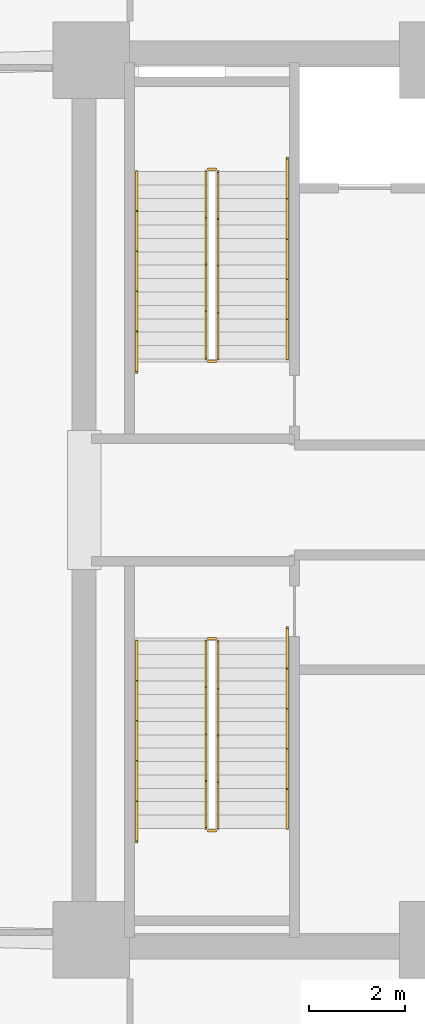
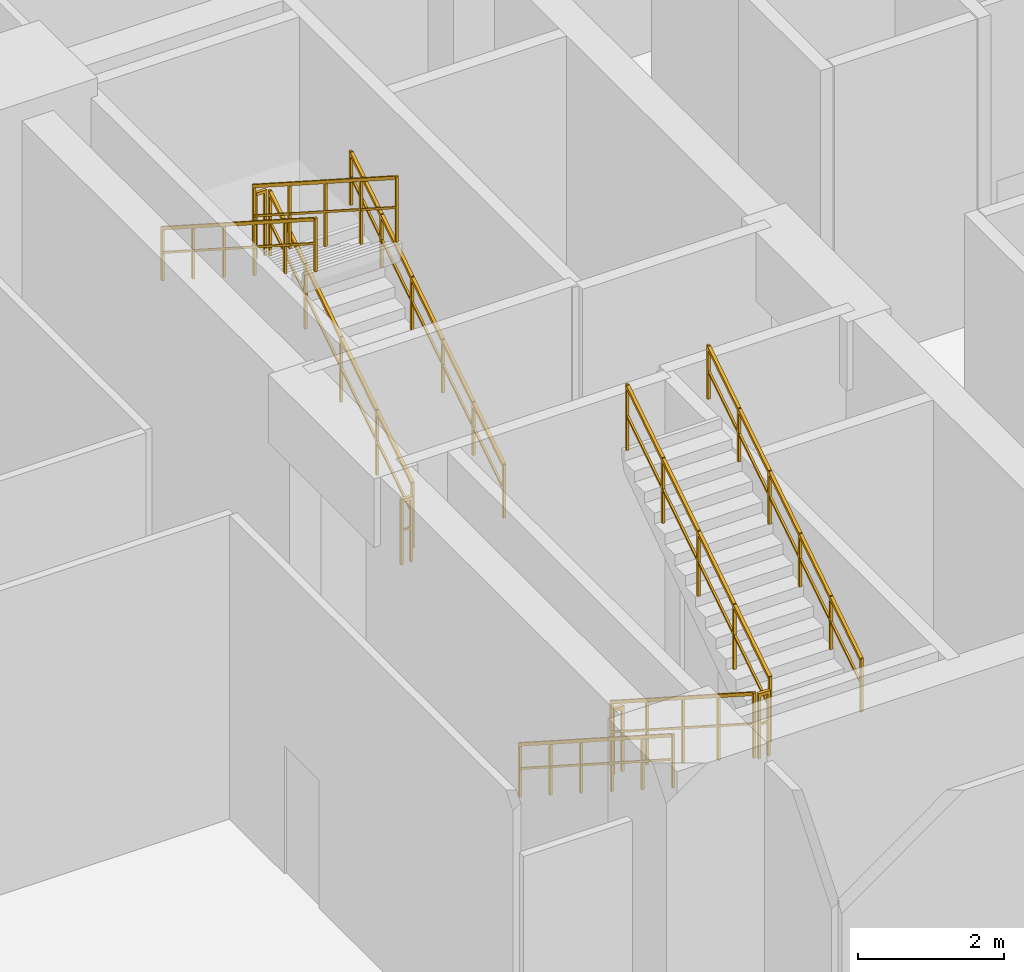
# One storey, part 12 of 15: 12 railings.
"""IFC4 building model written with IfcOpenShell, lengths in metres."""

from ifc_helpers import new_model, si_unit, direction, frame, origin, origin_2d, place, context, subcontext, project, spatial, rectangle, extrude, material, type_object, element, save


model = new_model("IFC4")

# Units and contexts
model_context = context("Model", 3, precision=1e-05, world=origin(), true_north=direction((0.0, 1.0)))
body_context = subcontext(model_context, "Body", "Model", "MODEL_VIEW")
ifc_project = project(units=[si_unit("LENGTHUNIT", "METRE"), si_unit("AREAUNIT", "SQUARE_METRE"), si_unit("VOLUMEUNIT", "CUBIC_METRE"), si_unit("PLANEANGLEUNIT", "RADIAN"), si_unit("MASSUNIT", "GRAM", prefix="KILO")], contexts=[model_context])

# Site, building, storey
site_placement = place(None, origin())
site = spatial("IfcSite", under=ifc_project, at=site_placement, CompositionType="ELEMENT")
building_placement = place(site_placement, origin())
building = spatial("IfcBuilding", under=site, at=building_placement, Name="Zahravan Cultural Tower", CompositionType="ELEMENT")
storey_placement = place(building_placement, frame((0.0, 0.0, 7.199951171875)))
storey = spatial("IfcBuildingStorey", under=building, at=storey_placement, Name="L01", CompositionType="ELEMENT", Elevation=7.199951171875)

# Railings
ifc_material = material(Name="Steel ASTM A572 Grade 50", Category="steel")
railing_type_1 = type_object("IfcRailingType", Name="RL-STAIR-GRD1150", PredefinedType="BALUSTRADE", material=ifc_material)
railing_1_placement = place(storey_placement, frame((24.300048828125, 29.949951171875, 0.179931640625)))
element("IfcRailing", 1, at=railing_1_placement, inside=storey, type_object=railing_type_1, Name="L01 ST-W1 stair guard 1", PredefinedType="BALUSTRADE", context=body_context, shape_type="SweptSolid", body=[
    extrude(rectangle(XDim=0.05, YDim=0.05, at=origin_2d()), frame((0.0, 0.0, 1.0751953125), z_axis=(0.0, 0.841186985886, 0.540744352514), x_axis=(-1.0, 0.0, 0.0)), (0.0, 0.0, 1.0), 4.660400390625),
    extrude(rectangle(XDim=0.032, YDim=0.032, at=origin_2d()), frame((0.0, 0.0, 0.572021484375), z_axis=(0.0, 0.841186985886, 0.540744352514), x_axis=(-1.0, 0.0, 0.0)), (0.0, 0.0, 1.0), 4.660400390625),
    extrude(rectangle(XDim=0.04, YDim=0.04, at=origin_2d()), origin(), (0.0, 0.0, 1.0), 1.10009765625),
    extrude(rectangle(XDim=0.04, YDim=0.04, at=origin_2d()), frame((0.0, 0.97998046875, 0.6298828125)), (0.0, 0.0, 1.0), 1.10009765625),
    extrude(rectangle(XDim=0.04, YDim=0.04, at=origin_2d()), frame((0.0, 1.9599609375, 1.260009765625)), (0.0, 0.0, 1.0), 1.10009765625),
    extrude(rectangle(XDim=0.04, YDim=0.04, at=origin_2d()), frame((0.0, 2.940185546875, 1.89013671875)), (0.0, 0.0, 1.0), 1.10009765625),
    extrude(rectangle(XDim=0.04, YDim=0.04, at=origin_2d()), frame((0.0, 3.920166015625, 2.52001953125)), (0.0, 0.0, 1.0), 1.10009765625),
])
railing_2_placement = place(storey_placement, frame((24.25, 33.919921875, 2.699951171875)))
element("IfcRailing", 2, at=railing_2_placement, inside=storey, type_object=railing_type_1, Name="L01 ST-W1 stair guard 2", PredefinedType="BALUSTRADE", context=body_context, shape_type="SweptSolid", body=[
    extrude(rectangle(XDim=0.05, YDim=0.05, at=origin_2d()), frame((0.0, 0.0, 1.0751953125), z_axis=(-1.0, 0.0, 0.0), x_axis=(0.0, -1.0, 0.0)), (0.0, 0.0, 1.0), 0.14990234375),
    extrude(rectangle(XDim=0.032, YDim=0.032, at=origin_2d()), frame((0.0, 0.0, 0.572021484375), z_axis=(-1.0, 0.0, 0.0), x_axis=(0.0, -1.0, 0.0)), (0.0, 0.0, 1.0), 0.14990234375),
    extrude(rectangle(XDim=0.04, YDim=0.04, at=origin_2d()), origin(), (0.0, 0.0, 1.0), 1.10009765625),
    extrude(rectangle(XDim=0.04, YDim=0.04, at=origin_2d()), frame((-0.14990234375, 0.0, 0.0)), (0.0, 0.0, 1.0), 1.10009765625),
])
railing_3_placement = place(storey_placement, frame((24.050048828125, 33.8701171875, 2.880126953125)))
element("IfcRailing", 3, at=railing_3_placement, inside=storey, type_object=railing_type_1, Name="L01 ST-W1 stair guard 3", PredefinedType="BALUSTRADE", context=body_context, shape_type="SweptSolid", body=[
    extrude(rectangle(XDim=0.05, YDim=0.05, at=origin_2d()), frame((0.0, 0.0, 1.0751953125), z_axis=(0.0, -0.841186985886, 0.540744352514), x_axis=(1.0, 0.0, 0.0)), (0.0, 0.0, 1.0), 4.660400390625),
    extrude(rectangle(XDim=0.032, YDim=0.032, at=origin_2d()), frame((0.0, 0.0, 0.572021484375), z_axis=(0.0, -0.841186985886, 0.540744352514), x_axis=(1.0, 0.0, 0.0)), (0.0, 0.0, 1.0), 4.660400390625),
    extrude(rectangle(XDim=0.04, YDim=0.04, at=origin_2d()), origin(), (0.0, 0.0, 1.0), 1.10009765625),
    extrude(rectangle(XDim=0.04, YDim=0.04, at=origin_2d()), frame((0.0, -0.97998046875, 0.6298828125)), (0.0, 0.0, 1.0), 1.10009765625),
    extrude(rectangle(XDim=0.04, YDim=0.04, at=origin_2d()), frame((0.0, -1.9599609375, 1.260009765625)), (0.0, 0.0, 1.0), 1.10009765625),
    extrude(rectangle(XDim=0.04, YDim=0.04, at=origin_2d()), frame((0.0, -2.940185546875, 1.89013671875)), (0.0, 0.0, 1.0), 1.10009765625),
    extrude(rectangle(XDim=0.04, YDim=0.04, at=origin_2d()), frame((0.0, -3.920166015625, 2.52001953125)), (0.0, 0.0, 1.0), 1.10009765625),
])
railing_4_placement = place(storey_placement, frame((24.25, 29.89990234375, 0.0)))
element("IfcRailing", 4, at=railing_4_placement, inside=storey, type_object=railing_type_1, Name="L01 ST-W1 stair guard 4", PredefinedType="BALUSTRADE", context=body_context, shape_type="SweptSolid", body=[
    extrude(rectangle(XDim=0.05, YDim=0.05, at=origin_2d()), frame((0.0, 0.0, 1.0751953125), z_axis=(-1.0, 0.0, 0.0), x_axis=(0.0, -1.0, 0.0)), (0.0, 0.0, 1.0), 0.14990234375),
    extrude(rectangle(XDim=0.032, YDim=0.032, at=origin_2d()), frame((0.0, 0.0, 0.572021484375), z_axis=(-1.0, 0.0, 0.0), x_axis=(0.0, -1.0, 0.0)), (0.0, 0.0, 1.0), 0.14990234375),
    extrude(rectangle(XDim=0.04, YDim=0.04, at=origin_2d()), origin(), (0.0, 0.0, 1.0), 1.10009765625),
    extrude(rectangle(XDim=0.04, YDim=0.04, at=origin_2d()), frame((-0.14990234375, 0.0, 0.0)), (0.0, 0.0, 1.0), 1.10009765625),
])
railing_5_placement = place(storey_placement, frame((24.050048828125, 24.050048828125, 0.179931640625)))
element("IfcRailing", 5, at=railing_5_placement, inside=storey, type_object=railing_type_1, Name="L01 ST-W2 stair guard 1", PredefinedType="BALUSTRADE", context=body_context, shape_type="SweptSolid", body=[
    extrude(rectangle(XDim=0.05, YDim=0.05, at=origin_2d()), frame((0.0, 0.0, 1.0751953125), z_axis=(0.0, -0.841186985886, 0.540744352514), x_axis=(1.0, 0.0, 0.0)), (0.0, 0.0, 1.0), 4.660400390625),
    extrude(rectangle(XDim=0.032, YDim=0.032, at=origin_2d()), frame((0.0, 0.0, 0.572021484375), z_axis=(0.0, -0.841186985886, 0.540744352514), x_axis=(1.0, 0.0, 0.0)), (0.0, 0.0, 1.0), 4.660400390625),
    extrude(rectangle(XDim=0.04, YDim=0.04, at=origin_2d()), origin(), (0.0, 0.0, 1.0), 1.10009765625),
    extrude(rectangle(XDim=0.04, YDim=0.04, at=origin_2d()), frame((0.0, -0.97998046875, 0.6298828125)), (0.0, 0.0, 1.0), 1.10009765625),
    extrude(rectangle(XDim=0.04, YDim=0.04, at=origin_2d()), frame((0.0, -1.9599609375, 1.260009765625)), (0.0, 0.0, 1.0), 1.10009765625),
    extrude(rectangle(XDim=0.04, YDim=0.04, at=origin_2d()), frame((0.0, -2.940185546875, 1.89013671875)), (0.0, 0.0, 1.0), 1.10009765625),
    extrude(rectangle(XDim=0.04, YDim=0.04, at=origin_2d()), frame((0.0, -3.920166015625, 2.52001953125)), (0.0, 0.0, 1.0), 1.10009765625),
])
railing_6_placement = place(storey_placement, frame((24.10009765625, 20.080078125, 2.699951171875)))
element("IfcRailing", 6, at=railing_6_placement, inside=storey, type_object=railing_type_1, Name="L01 ST-W2 stair guard 2", PredefinedType="BALUSTRADE", context=body_context, shape_type="SweptSolid", body=[
    extrude(rectangle(XDim=0.05, YDim=0.05, at=origin_2d()), frame((0.0, 0.0, 1.0751953125), z_axis=(1.0, 0.0, 0.0), x_axis=(0.0, 1.0, 0.0)), (0.0, 0.0, 1.0), 0.14990234375),
    extrude(rectangle(XDim=0.032, YDim=0.032, at=origin_2d()), frame((0.0, 0.0, 0.572021484375), z_axis=(1.0, 0.0, 0.0), x_axis=(0.0, 1.0, 0.0)), (0.0, 0.0, 1.0), 0.14990234375),
    extrude(rectangle(XDim=0.04, YDim=0.04, at=origin_2d()), origin(), (0.0, 0.0, 1.0), 1.10009765625),
    extrude(rectangle(XDim=0.04, YDim=0.04, at=origin_2d()), frame((0.14990234375, 0.0, 0.0)), (0.0, 0.0, 1.0), 1.10009765625),
])
railing_7_placement = place(storey_placement, frame((24.300048828125, 20.1298828125, 2.880126953125)))
element("IfcRailing", 7, at=railing_7_placement, inside=storey, type_object=railing_type_1, Name="L01 ST-W2 stair guard 3", PredefinedType="BALUSTRADE", context=body_context, shape_type="SweptSolid", body=[
    extrude(rectangle(XDim=0.05, YDim=0.05, at=origin_2d()), frame((0.0, 0.0, 1.0751953125), z_axis=(0.0, 0.841186985886, 0.540744352514), x_axis=(-1.0, 0.0, 0.0)), (0.0, 0.0, 1.0), 4.660400390625),
    extrude(rectangle(XDim=0.032, YDim=0.032, at=origin_2d()), frame((0.0, 0.0, 0.572021484375), z_axis=(0.0, 0.841186985886, 0.540744352514), x_axis=(-1.0, 0.0, 0.0)), (0.0, 0.0, 1.0), 4.660400390625),
    extrude(rectangle(XDim=0.04, YDim=0.04, at=origin_2d()), origin(), (0.0, 0.0, 1.0), 1.10009765625),
    extrude(rectangle(XDim=0.04, YDim=0.04, at=origin_2d()), frame((0.0, 0.97998046875, 0.6298828125)), (0.0, 0.0, 1.0), 1.10009765625),
    extrude(rectangle(XDim=0.04, YDim=0.04, at=origin_2d()), frame((0.0, 1.9599609375, 1.260009765625)), (0.0, 0.0, 1.0), 1.10009765625),
    extrude(rectangle(XDim=0.04, YDim=0.04, at=origin_2d()), frame((0.0, 2.940185546875, 1.89013671875)), (0.0, 0.0, 1.0), 1.10009765625),
    extrude(rectangle(XDim=0.04, YDim=0.04, at=origin_2d()), frame((0.0, 3.920166015625, 2.52001953125)), (0.0, 0.0, 1.0), 1.10009765625),
])
railing_8_placement = place(storey_placement, frame((24.10009765625, 24.10009765625, 0.0)))
element("IfcRailing", 8, at=railing_8_placement, inside=storey, type_object=railing_type_1, Name="L01 ST-W2 stair guard 4", PredefinedType="BALUSTRADE", context=body_context, shape_type="SweptSolid", body=[
    extrude(rectangle(XDim=0.05, YDim=0.05, at=origin_2d()), frame((0.0, 0.0, 1.0751953125), z_axis=(1.0, 0.0, 0.0), x_axis=(0.0, 1.0, 0.0)), (0.0, 0.0, 1.0), 0.14990234375),
    extrude(rectangle(XDim=0.032, YDim=0.032, at=origin_2d()), frame((0.0, 0.0, 0.572021484375), z_axis=(1.0, 0.0, 0.0), x_axis=(0.0, 1.0, 0.0)), (0.0, 0.0, 1.0), 0.14990234375),
    extrude(rectangle(XDim=0.04, YDim=0.04, at=origin_2d()), origin(), (0.0, 0.0, 1.0), 1.10009765625),
    extrude(rectangle(XDim=0.04, YDim=0.04, at=origin_2d()), frame((0.14990234375, 0.0, 0.0)), (0.0, 0.0, 1.0), 1.10009765625),
])
railing_type_2 = type_object("IfcRailingType", Name="RL-STAIR-HR900", PredefinedType="HANDRAIL", material=ifc_material)
railing_9_placement = place(storey_placement, frame((25.75, 29.949951171875, 0.179931640625)))
element("IfcRailing", 9, at=railing_9_placement, inside=storey, type_object=railing_type_2, Name="L01 ST-W1 stair handrail 1", PredefinedType="HANDRAIL", context=body_context, shape_type="SweptSolid", body=[
    extrude(rectangle(XDim=0.05, YDim=0.05, at=origin_2d()), frame((0.0, 0.0, 0.875), z_axis=(0.0, 0.841157821942, 0.54078971753), x_axis=(-1.0, 0.0, 0.0)), (0.0, 0.0, 1.0), 4.9931640625),
    extrude(rectangle(XDim=0.032, YDim=0.032, at=origin_2d()), frame((0.0, 0.0, 0.468017578125), z_axis=(0.0, 0.841157821942, 0.54078971753), x_axis=(-1.0, 0.0, 0.0)), (0.0, 0.0, 1.0), 4.9931640625),
    extrude(rectangle(XDim=0.04, YDim=0.04, at=origin_2d()), origin(), (0.0, 0.0, 1.0), 0.89990234375),
    extrude(rectangle(XDim=0.04, YDim=0.04, at=origin_2d()), frame((0.0, 0.840087890625, 0.5400390625)), (0.0, 0.0, 1.0), 0.89990234375),
    extrude(rectangle(XDim=0.04, YDim=0.04, at=origin_2d()), frame((0.0, 1.679931640625, 1.080078125)), (0.0, 0.0, 1.0), 0.89990234375),
    extrude(rectangle(XDim=0.04, YDim=0.04, at=origin_2d()), frame((0.0, 2.52001953125, 1.6201171875)), (0.0, 0.0, 1.0), 0.89990234375),
    extrude(rectangle(XDim=0.04, YDim=0.04, at=origin_2d()), frame((0.0, 3.35986328125, 2.16015625)), (0.0, 0.0, 1.0), 0.89990234375),
    extrude(rectangle(XDim=0.04, YDim=0.04, at=origin_2d()), frame((0.0, 4.199951171875, 2.7001953125)), (0.0, 0.0, 1.0), 0.89990234375),
])
railing_10_placement = place(storey_placement, frame((22.60009765625, 33.8701171875, 2.880126953125)))
element("IfcRailing", 10, at=railing_10_placement, inside=storey, type_object=railing_type_2, Name="L01 ST-W1 stair handrail 2", PredefinedType="HANDRAIL", context=body_context, shape_type="SweptSolid", body=[
    extrude(rectangle(XDim=0.05, YDim=0.05, at=origin_2d()), frame((0.0, 0.0, 0.875), z_axis=(0.0, -0.841194361566, 0.540732878665), x_axis=(1.0, 0.0, 0.0)), (0.0, 0.0, 1.0), 4.9931640625),
    extrude(rectangle(XDim=0.032, YDim=0.032, at=origin_2d()), frame((0.0, 0.0, 0.468017578125), z_axis=(0.0, -0.841194361566, 0.540732878665), x_axis=(1.0, 0.0, 0.0)), (0.0, 0.0, 1.0), 4.9931640625),
    extrude(rectangle(XDim=0.04, YDim=0.04, at=origin_2d()), origin(), (0.0, 0.0, 1.0), 0.89990234375),
    extrude(rectangle(XDim=0.04, YDim=0.04, at=origin_2d()), frame((0.0, -0.840087890625, 0.5400390625)), (0.0, 0.0, 1.0), 0.89990234375),
    extrude(rectangle(XDim=0.04, YDim=0.04, at=origin_2d()), frame((0.0, -1.68017578125, 1.080078125)), (0.0, 0.0, 1.0), 0.89990234375),
    extrude(rectangle(XDim=0.04, YDim=0.04, at=origin_2d()), frame((0.0, -2.52001953125, 1.619873046875)), (0.0, 0.0, 1.0), 0.89990234375),
    extrude(rectangle(XDim=0.04, YDim=0.04, at=origin_2d()), frame((0.0, -3.360107421875, 2.159912109375)), (0.0, 0.0, 1.0), 0.89990234375),
    extrude(rectangle(XDim=0.04, YDim=0.04, at=origin_2d()), frame((0.0, -4.2001953125, 2.699951171875)), (0.0, 0.0, 1.0), 0.89990234375),
])
railing_11_placement = place(storey_placement, frame((22.60009765625, 24.050048828125, 0.179931640625)))
element("IfcRailing", 11, at=railing_11_placement, inside=storey, type_object=railing_type_2, Name="L01 ST-W2 stair handrail 1", PredefinedType="HANDRAIL", context=body_context, shape_type="SweptSolid", body=[
    extrude(rectangle(XDim=0.05, YDim=0.05, at=origin_2d()), frame((0.0, 0.0, 0.875), z_axis=(0.0, -0.841157821942, 0.54078971753), x_axis=(1.0, 0.0, 0.0)), (0.0, 0.0, 1.0), 4.9931640625),
    extrude(rectangle(XDim=0.032, YDim=0.032, at=origin_2d()), frame((0.0, 0.0, 0.468017578125), z_axis=(0.0, -0.841157821942, 0.54078971753), x_axis=(1.0, 0.0, 0.0)), (0.0, 0.0, 1.0), 4.9931640625),
    extrude(rectangle(XDim=0.04, YDim=0.04, at=origin_2d()), origin(), (0.0, 0.0, 1.0), 0.89990234375),
    extrude(rectangle(XDim=0.04, YDim=0.04, at=origin_2d()), frame((0.0, -0.840087890625, 0.5400390625)), (0.0, 0.0, 1.0), 0.89990234375),
    extrude(rectangle(XDim=0.04, YDim=0.04, at=origin_2d()), frame((0.0, -1.679931640625, 1.080078125)), (0.0, 0.0, 1.0), 0.89990234375),
    extrude(rectangle(XDim=0.04, YDim=0.04, at=origin_2d()), frame((0.0, -2.52001953125, 1.6201171875)), (0.0, 0.0, 1.0), 0.89990234375),
    extrude(rectangle(XDim=0.04, YDim=0.04, at=origin_2d()), frame((0.0, -3.35986328125, 2.16015625)), (0.0, 0.0, 1.0), 0.89990234375),
    extrude(rectangle(XDim=0.04, YDim=0.04, at=origin_2d()), frame((0.0, -4.199951171875, 2.7001953125)), (0.0, 0.0, 1.0), 0.89990234375),
])
railing_12_placement = place(storey_placement, frame((25.75, 20.1298828125, 2.880126953125)))
element("IfcRailing", 12, at=railing_12_placement, inside=storey, type_object=railing_type_2, Name="L01 ST-W2 stair handrail 2", PredefinedType="HANDRAIL", context=body_context, shape_type="SweptSolid", body=[
    extrude(rectangle(XDim=0.05, YDim=0.05, at=origin_2d()), frame((0.0, 0.0, 0.875), z_axis=(0.0, 0.841194361566, 0.540732878665), x_axis=(-1.0, 0.0, 0.0)), (0.0, 0.0, 1.0), 4.9931640625),
    extrude(rectangle(XDim=0.032, YDim=0.032, at=origin_2d()), frame((0.0, 0.0, 0.468017578125), z_axis=(0.0, 0.841194361566, 0.540732878665), x_axis=(-1.0, 0.0, 0.0)), (0.0, 0.0, 1.0), 4.9931640625),
    extrude(rectangle(XDim=0.04, YDim=0.04, at=origin_2d()), origin(), (0.0, 0.0, 1.0), 0.89990234375),
    extrude(rectangle(XDim=0.04, YDim=0.04, at=origin_2d()), frame((0.0, 0.840087890625, 0.5400390625)), (0.0, 0.0, 1.0), 0.89990234375),
    extrude(rectangle(XDim=0.04, YDim=0.04, at=origin_2d()), frame((0.0, 1.68017578125, 1.080078125)), (0.0, 0.0, 1.0), 0.89990234375),
    extrude(rectangle(XDim=0.04, YDim=0.04, at=origin_2d()), frame((0.0, 2.52001953125, 1.619873046875)), (0.0, 0.0, 1.0), 0.89990234375),
    extrude(rectangle(XDim=0.04, YDim=0.04, at=origin_2d()), frame((0.0, 3.360107421875, 2.159912109375)), (0.0, 0.0, 1.0), 0.89990234375),
    extrude(rectangle(XDim=0.04, YDim=0.04, at=origin_2d()), frame((0.0, 4.2001953125, 2.699951171875)), (0.0, 0.0, 1.0), 0.89990234375),
])

save(model, "model.ifc")
